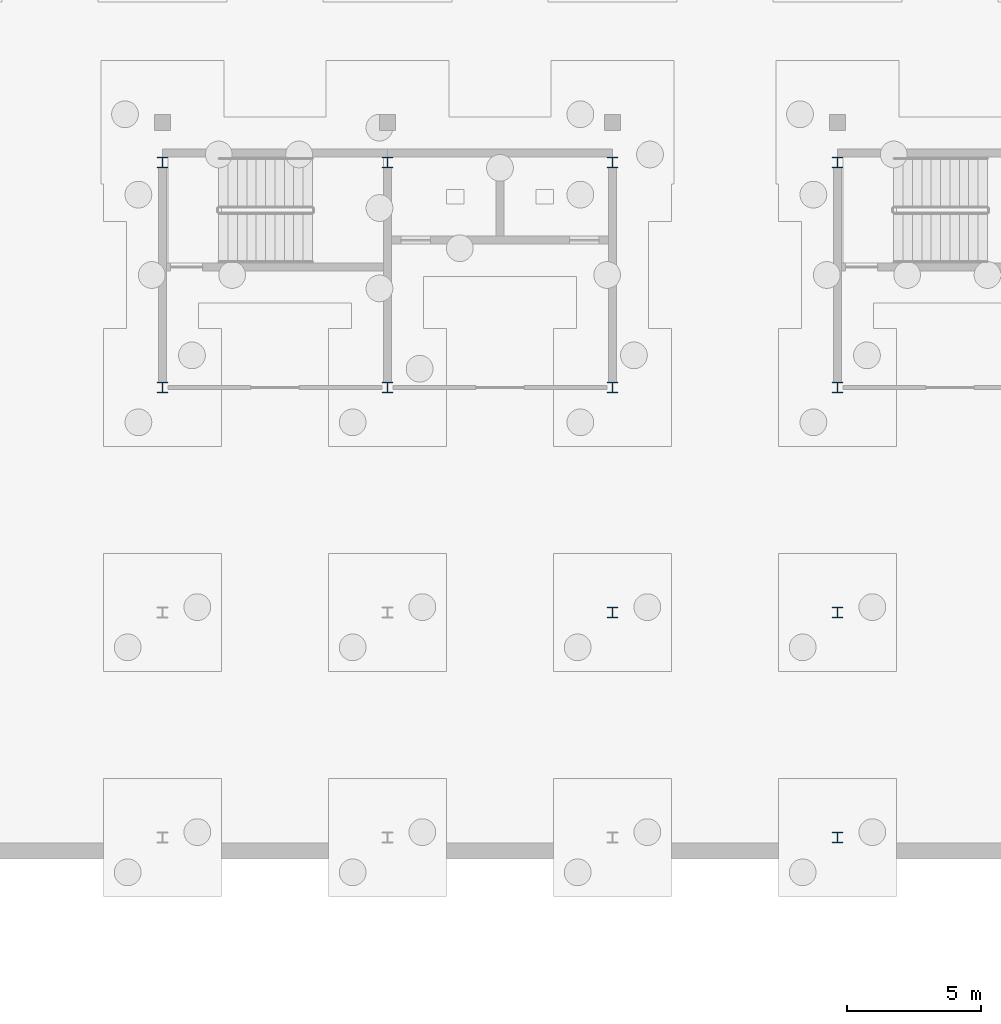
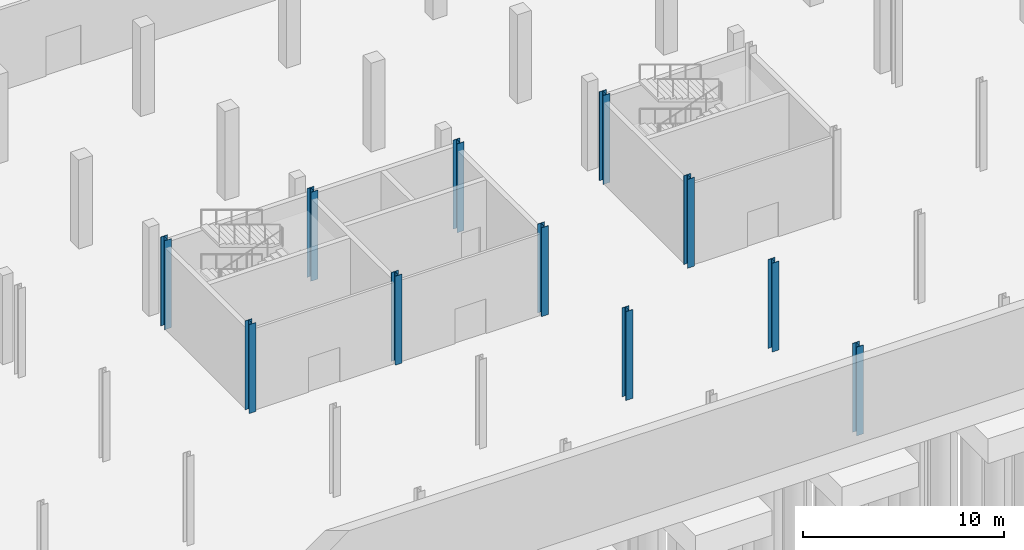
# One storey, part 6 of 29: 11 columns.
"""IFC4 building model written with IfcOpenShell, lengths in metres."""

import ifcopenshell
import ifcopenshell.guid

model = None  # the IFC model being written
_history = None  # IfcOwnerHistory: only IFC2X3 demands one
_inside = {}  # id of a spatial element -> (the spatial element, [elements in it])
_under = {}  # id of a project, library or spatial element -> (it, [spatial elements below it])
_declared = {}  # id of a project -> (the project, [libraries it declares])
_typed = {}  # id of a type object -> (the type object, [elements of that type])
_made_of = {}  # id of a material, layer set ... -> (it, [elements and type objects made of it])


def new_model(schema):
    """Start an empty IFC model of exactly this schema.

    Asked for "IFC4X3", IfcOpenShell would pick the latest addendum, in which some entities
    have other attributes; the version numbers below select the first issue.
    IFC2X3 requires an IfcOwnerHistory on every rooted entity: one is made here for all.
    """
    global model, _history
    if schema == "IFC4X3":
        model = ifcopenshell.file(schema_version=(4, 3, 0, 0))
    else:
        model = ifcopenshell.file(schema=schema)
    _inside.clear()
    _under.clear()
    _declared.clear()
    _typed.clear()
    _made_of.clear()
    _history = None
    if model.schema == "IFC2X3":
        org = make("IfcOrganization", Name="unknown")
        user = make(
            "IfcPersonAndOrganization",
            ThePerson=make("IfcPerson", FamilyName="unknown"),
            TheOrganization=org,
        )
        app = make(
            "IfcApplication",
            ApplicationDeveloper=org,
            Version="unknown",
            ApplicationFullName="unknown",
            ApplicationIdentifier="unknown",
        )
        _history = make(
            "IfcOwnerHistory",
            OwningUser=user,
            OwningApplication=app,
            ChangeAction="ADDED",
            CreationDate=0,
        )
    return model


def make(cls, **values):
    """One entity of the class cls with the attributes given. An attribute that is None is left unset."""
    return model.create_entity(
        cls, **{name: value for name, value in values.items() if value is not None}
    )


def rooted(cls, **values):
    """An entity with a GlobalId (a new one), such as an element, a storey or a relation."""
    return make(cls, GlobalId=ifcopenshell.guid.new(), OwnerHistory=_history, **values)


def si_unit(unit_type, name, prefix=None):
    """IfcSIUnit, for example si_unit("LENGTHUNIT", "METRE", prefix="MILLI")."""
    return make("IfcSIUnit", UnitType=unit_type, Prefix=prefix, Name=name)


def assignment(units):
    """IfcUnitAssignment: the units of a project."""
    return None if units is None else make("IfcUnitAssignment", Units=units)


def point(xyz):
    """IfcCartesianPoint."""
    return None if xyz is None else make("IfcCartesianPoint", Coordinates=xyz)


def direction(xyz):
    """IfcDirection."""
    return None if xyz is None else make("IfcDirection", DirectionRatios=xyz)


def frame(location, z_axis=None, x_axis=None):
    """IfcAxis2Placement3D, a coordinate frame: its origin and axes. An axis left out is left unset."""
    return make(
        "IfcAxis2Placement3D",
        Location=point(location),
        Axis=direction(z_axis),
        RefDirection=direction(x_axis),
    )


def frame_2d(location, x_axis=None):
    """IfcAxis2Placement2D, a coordinate frame in the plane: its origin and x axis."""
    return make(
        "IfcAxis2Placement2D", Location=point(location), RefDirection=direction(x_axis)
    )


def origin():
    """The frame at (0, 0, 0) with its axes left unset."""
    return frame((0.0, 0.0, 0.0))


def origin_2d():
    """The frame at (0, 0) in the plane with its x axis left unset."""
    return frame_2d((0.0, 0.0))


def place(relative_to, where):
    """IfcLocalPlacement: puts the frame where relative to a parent placement (None: the world)."""
    return make(
        "IfcLocalPlacement", PlacementRelTo=relative_to, RelativePlacement=where
    )


def context(
    kind, dimensions, precision=None, world=None, true_north=None, identifier=None
):
    """IfcGeometricRepresentationContext, for example the 3D "Model" context."""
    return make(
        "IfcGeometricRepresentationContext",
        ContextIdentifier=identifier,
        ContextType=kind,
        CoordinateSpaceDimension=dimensions,
        Precision=precision,
        WorldCoordinateSystem=world,
        TrueNorth=true_north,
    )


def subcontext(parent, identifier, kind, view, scale=None):
    """IfcGeometricRepresentationSubContext, for example "Body" below "Model"."""
    return make(
        "IfcGeometricRepresentationSubContext",
        ContextIdentifier=identifier,
        ContextType=kind,
        ParentContext=parent,
        TargetScale=scale,
        TargetView=view,
    )


def project(units=None, contexts=None):
    """IfcProject with its units and contexts."""
    return rooted(
        "IfcProject",
        Name="project",
        RepresentationContexts=contexts,
        UnitsInContext=assignment(units),
    )


def spatial(cls, under=None, at=None, **own):
    """A site, building, storey or space (cls), placed at a placement, below another one or the project."""
    s = rooted(cls, ObjectPlacement=at, **own)
    if under is not None:
        _under.setdefault(under.id(), (under, []))[1].append(s)
    return s


def profile(cls, at=None, kind="AREA", **sizes):
    """A parametric profile (cls). Its sizes go by their IFC names, for example OverallWidth=200.0."""
    return make(cls, ProfileType=kind, Position=at, **sizes)


def i_section(**sizes):
    """IfcIShapeProfileDef."""
    return profile("IfcIShapeProfileDef", **sizes)


def extrude(swept, where, along, depth):
    """IfcExtrudedAreaSolid: the profile swept, set in the frame where, extruded along a direction by depth."""
    return make(
        "IfcExtrudedAreaSolid",
        SweptArea=swept,
        Position=where,
        ExtrudedDirection=direction(along),
        Depth=depth,
    )


def shape(context_of_items, identifier, shape_type, items):
    """IfcShapeRepresentation: the items that make up one representation, for example the "Body"."""
    return make(
        "IfcShapeRepresentation",
        ContextOfItems=context_of_items,
        RepresentationIdentifier=identifier,
        RepresentationType=shape_type,
        Items=items,
    )


def material(Name=None, Category=None):
    """IfcMaterial."""
    return make("IfcMaterial", Name=Name, Category=Category)


def material_profile(
    of_material, cross_section, Name=None, Category=None, Priority=None
):
    """IfcMaterialProfile: a cross section and its material."""
    return make(
        "IfcMaterialProfile",
        Name=Name,
        Material=of_material,
        Profile=cross_section,
        Priority=Priority,
        Category=Category,
    )


def profile_set(profiles, Name=None, composite=None):
    """IfcMaterialProfileSet."""
    return make(
        "IfcMaterialProfileSet",
        Name=Name,
        MaterialProfiles=profiles,
        CompositeProfile=composite,
    )


def made_of(thing, what):
    """Note that an element or type object is made of a material, layer set ...; save() writes the relation."""
    if what is not None:
        _made_of.setdefault(what.id(), (what, []))[1].append(thing)
    return thing


def type_object(cls, material=None, **own):
    """A type object (cls), such as IfcWallType, which elements share."""
    return made_of(rooted(cls, **own), material)


def element(
    cls,
    number,
    at=None,
    inside=None,
    cuts=None,
    type_object=None,
    material=None,
    context=None,
    identifier="Body",
    shape_type=None,
    held_by="IfcProductDefinitionShape",
    body=None,
    shapes=None,
    **own,
):
    """One element of the class cls, such as IfcWall. Its Tag is "e" and its number.

    at: its placement. inside: the storey or other place that contains it. cuts: it is an
    opening in that element (IfcRelVoidsElement). A single representation is given by context,
    identifier, shape_type and body (its items); several are given by shapes. held_by: the class
    of the entity that holds the representations. save() writes the other relations.
    """
    e = rooted(cls, Tag="e%d" % number, ObjectPlacement=at, **own)
    if body is not None:
        shapes = [shape(context, identifier, shape_type, body)]
    if shapes is not None:
        e.Representation = make(held_by, Representations=shapes)
    if inside is not None:
        _inside.setdefault(inside.id(), (inside, []))[1].append(e)
    if cuts is not None:
        rooted(
            "IfcRelVoidsElement", RelatingBuildingElement=cuts, RelatedOpeningElement=e
        )
    if type_object is not None:
        _typed.setdefault(type_object.id(), (type_object, []))[1].append(e)
    return made_of(e, material)


def aggregate(whole, parts):
    """IfcRelAggregates: a whole, such as a stair, and the parts it consists of."""
    return rooted("IfcRelAggregates", RelatingObject=whole, RelatedObjects=parts)


def save(model, path):
    """Write the relations noted so far, then the file.

    IfcRelAggregates (storeys below a building ...), IfcRelContainedInSpatialStructure (elements
    in a storey), IfcRelDefinesByType, IfcRelAssociatesMaterial and IfcRelDeclares: one each for
    every whole, place, type object, material and project.
    """
    for whole, parts in _under.values():
        aggregate(whole, parts)
    for where, things in _inside.values():
        rooted(
            "IfcRelContainedInSpatialStructure",
            RelatedElements=things,
            RelatingStructure=where,
        )
    for kind, things in _typed.values():
        rooted("IfcRelDefinesByType", RelatedObjects=things, RelatingType=kind)
    for what, things in _made_of.values():
        rooted("IfcRelAssociatesMaterial", RelatedObjects=things, RelatingMaterial=what)
    for by, libraries in _declared.values():
        rooted("IfcRelDeclares", RelatingContext=by, RelatedDefinitions=libraries)
    model.write(path)


model = new_model("IFC4")

# Units and contexts
model_context = context("Model", 3, precision=1e-05, world=origin(), true_north=direction((0.0, 1.0)))
body_context = subcontext(model_context, "Body", "Model", "MODEL_VIEW")
ifc_project = project(units=[si_unit("LENGTHUNIT", "METRE"), si_unit("AREAUNIT", "SQUARE_METRE"), si_unit("VOLUMEUNIT", "CUBIC_METRE"), si_unit("PLANEANGLEUNIT", "RADIAN"), si_unit("MASSUNIT", "GRAM", prefix="KILO")], contexts=[model_context])

# Site, building, storey
site_placement = place(None, origin())
site = spatial("IfcSite", under=ifc_project, at=site_placement, CompositionType="ELEMENT")
building_placement = place(site_placement, origin())
building = spatial("IfcBuilding", under=site, at=building_placement, Name="Cresset Court Congress Hotel", CompositionType="ELEMENT")
storey_placement = place(building_placement, frame((0.0, 0.0, -5.39990234375)))
storey = spatial("IfcBuildingStorey", under=building, at=storey_placement, Name="B1", CompositionType="ELEMENT", Elevation=-5.39990234375)

# Columns
ifc_material = material(Name="Structural steel Q355B", Category="steel")
ifc_material_profile = material_profile(ifc_material, i_section(OverallWidth=0.39990234375, OverallDepth=0.39990234375, WebThickness=0.012939453125, FlangeThickness=0.02099609375, FilletRadius=0.02197265625, at=origin_2d()), Name="HW400x400x13x21")
ifc_profile_set = profile_set([ifc_material_profile], Name="Structural steel Q355B")
column_type = type_object("IfcColumnType", Name="Steel column HW400x400x13x21", PredefinedType="COLUMN", material=ifc_profile_set)
for number, where, z_axis, x_axis, name in (
    (1, (33.60009765625, 16.800048828125, 0.0), (0.0, 0.0, 1.0), (1.0, 0.0, 0.0), "B.col.B1.05C"),
    (2, (33.60009765625, 25.199951171875, 0.0), (0.0, 0.0, 1.0), (1.0, 0.0, 0.0), "B.col.B1.05D"),
    (3, (42.0, 16.800048828125, 0.0), (0.0, 0.0, 1.0), (1.0, 0.0, 0.0), "B.col.B1.06C"),
    (4, (42.0, 25.199951171875, 0.0), (0.0, 0.0, 1.0), (1.0, 0.0, 0.0), "B.col.B1.06D"),
    (5, (50.39990234375, 8.39990234375, 0.0), (0.0, 0.0, 1.0), (1.0, 0.0, 0.0), "B.col.B1.07B"),
    (6, (50.39990234375, 16.800048828125, 0.0), (0.0, 0.0, 1.0), (1.0, 0.0, 0.0), "B.col.B1.07C"),
    (7, (50.39990234375, 25.199951171875, 0.0), (0.0, 0.0, 1.0), (1.0, 0.0, 0.0), "B.col.B1.07D"),
    (8, (58.800048828125, 0.0, 0.0), (0.0, 0.0, 1.0), (1.0, 0.0, 0.0), "B.col.B1.08A"),
    (9, (58.800048828125, 8.39990234375, 0.0), (0.0, 0.0, 1.0), (1.0, 0.0, 0.0), "B.col.B1.08B"),
    (10, (58.800048828125, 16.800048828125, 0.0), (0.0, 0.0, 1.0), (1.0, 0.0, 0.0), "B.col.B1.08C"),
    (11, (58.800048828125, 25.199951171875, 0.0), (0.0, 0.0, 1.0), (1.0, 0.0, 0.0), "B.col.B1.08D"),
):
    element("IfcColumn", number, at=place(storey_placement, frame(where, z_axis=z_axis, x_axis=x_axis)), inside=storey, type_object=column_type, Name=name, PredefinedType="COLUMN", context=body_context, shape_type="SweptSolid", body=[
        extrude(i_section(OverallWidth=0.39990234375, OverallDepth=0.39990234375, WebThickness=0.012939453125, FlangeThickness=0.02099609375, FilletRadius=0.02197265625, at=origin_2d()), origin(), (0.0, 0.0, 1.0), 5.39990234375),
    ])

save(model, "model.ifc")
